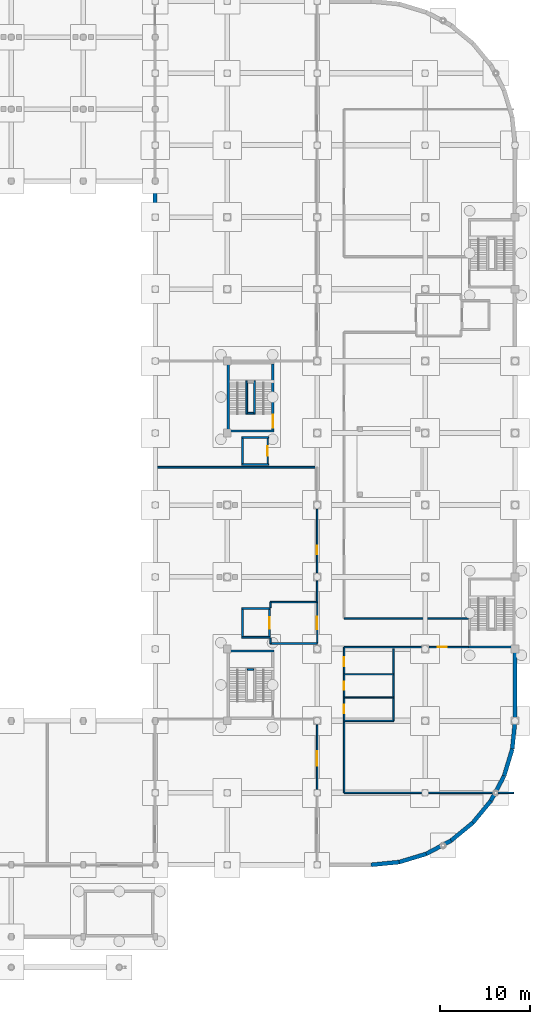
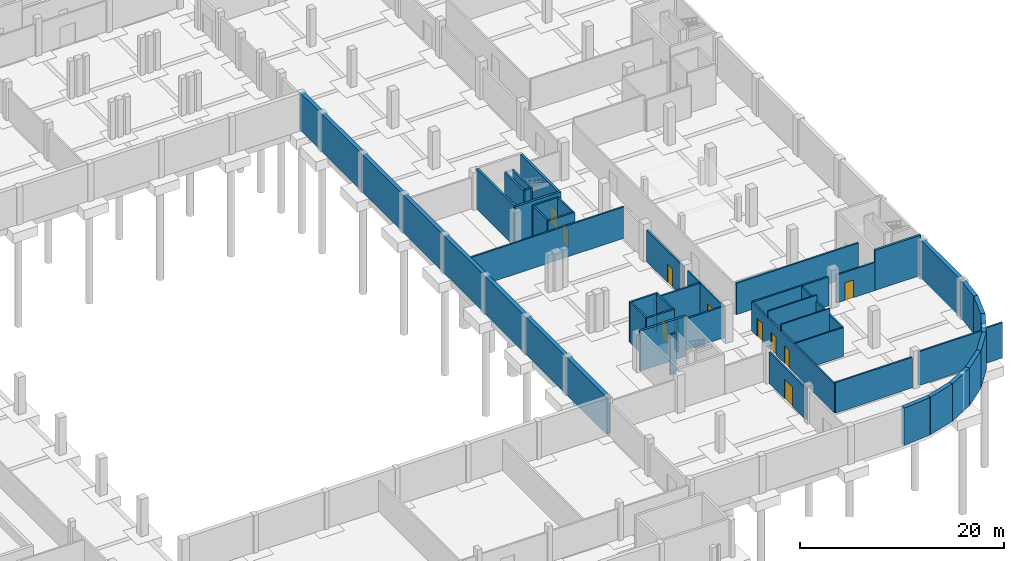
# One storey, part 25 of 29: 47 walls, 10 doors, 10 openings.
"""IFC4 building model written with IfcOpenShell, lengths in metres."""

from ifc_helpers import new_model, si_unit, direction, frame, frame_2d, origin, place, context, subcontext, project, spatial, rectangle, extrude, material, layer, layer_set, type_object, element, fill, save


model = new_model("IFC4")

# Units and contexts
model_context = context("Model", 3, precision=1e-05, world=origin(), true_north=direction((0.0, 1.0)))
body_context = subcontext(model_context, "Body", "Model", "MODEL_VIEW")
ifc_project = project(units=[si_unit("LENGTHUNIT", "METRE"), si_unit("AREAUNIT", "SQUARE_METRE"), si_unit("VOLUMEUNIT", "CUBIC_METRE"), si_unit("PLANEANGLEUNIT", "RADIAN"), si_unit("MASSUNIT", "GRAM", prefix="KILO")], contexts=[model_context])

# Site, building, storey
site_placement = place(None, origin())
site = spatial("IfcSite", under=ifc_project, at=site_placement, CompositionType="ELEMENT")
building_placement = place(site_placement, origin())
building = spatial("IfcBuilding", under=site, at=building_placement, Name="Drelvana Railside Aquatics Centre", CompositionType="ELEMENT")
storey_placement = place(building_placement, frame((0.0, 0.0, -4.800048828125)))
storey = spatial("IfcBuildingStorey", under=building, at=storey_placement, Name="B1", CompositionType="ELEMENT", Elevation=-4.800048828125)

# Walls
ifc_material_1 = material(Name="Concrete blockwork compartment wall", Category="masonry")
ifc_layer_1 = layer(ifc_material_1, 0.18505859375, Name="Concrete blockwork compartment wall")
ifc_layer_set_1 = layer_set([ifc_layer_1], Name="Concrete blockwork compartment wall")
wall_type_1 = type_object("IfcWallType", Name="WL-COMP-185", PredefinedType="STANDARD", material=ifc_layer_set_1)
for number, where, z_axis, x_axis, name in (
    (1, (162.0, 32.60009765625, 0.0), (0.0, 0.0, 1.0), (-1.0, 0.0, 0.0), "Firefighting lobby FL-01 S wall (B1)"),
    (2, (156.800048828125, 37.199951171875, 0.0), (0.0, 0.0, 1.0), (1.0, 0.0, 0.0), "Firefighting lobby FL-01 N wall (B1)"),
):
    element("IfcWall", number, at=place(storey_placement, frame(where, z_axis=z_axis, x_axis=x_axis)), inside=storey, type_object=wall_type_1, Name=name, PredefinedType="STANDARD", context=body_context, shape_type="SweptSolid", body=[
        extrude(rectangle(XDim=5.199951171875, YDim=0.18505859375, at=frame_2d((2.60009765625, 0.0))), origin(), (0.0, 0.0, 1.0), 3.75),
    ])

# Wall, opening, door
wall_1_placement = place(storey_placement, frame((162.0, 32.60009765625, 0.0), z_axis=(0.0, 0.0, 1.0), x_axis=(0.0, 1.0, 0.0)))
wall_1 = element("IfcWall", 3, at=wall_1_placement, inside=storey, type_object=wall_type_1, Name="Firefighting lobby FL-01 COR wall (B1)", PredefinedType="STANDARD", context=body_context, shape_type="SweptSolid", body=[
    extrude(rectangle(XDim=4.599853515625, YDim=0.18505859375, at=frame_2d((2.2998046875, 0.0))), origin(), (0.0, 0.0, 1.0), 3.75),
])
opening_1_placement = place(wall_1_placement, frame((1.60009765625, 0.0, 0.0)))
opening_1 = element("IfcOpeningElement", 4, at=opening_1_placement, cuts=wall_1, Name="Opening D-03-042", PredefinedType="OPENING", context=body_context, shape_type="SweptSolid", body=[
    extrude(rectangle(XDim=1.39990234375, YDim=2.199951171875, at=frame_2d((0.699951171875, 1.10009765625))), frame((0.0, 0.1025390625, 0.0), z_axis=(0.0, -1.0, 0.0), x_axis=(1.0, 0.0, 0.0)), (0.0, 0.0, 1.0), 0.205078125),
])
ifc_material_2 = material(Name="Firefighting lobby door", Category="wood")
door_type_1 = type_object("IfcDoorType", Name="DR-INT-FFLOB-1400x2200", OperationType="DOUBLE_DOOR_SINGLE_SWING", PredefinedType="DOOR", material=ifc_material_2)
door_1_placement = place(opening_1_placement, origin())
door_1 = element("IfcDoor", 5, at=door_1_placement, inside=storey, type_object=door_type_1, Name="Firefighting lobby FL-01 door D-03-042", OperationType="DOUBLE_DOOR_SINGLE_SWING", OverallHeight=2.199951171875, OverallWidth=1.39990234375, PredefinedType="DOOR", context=body_context, shape_type="SweptSolid", body=[
    extrude(rectangle(XDim=1.39990234375, YDim=2.199951171875, at=frame_2d((0.699951171875, 1.10009765625))), frame((0.0, 0.02490234375, 0.0), z_axis=(0.0, -1.0, 0.0), x_axis=(1.0, 0.0, 0.0)), (0.0, 0.0, 1.0), 0.050048828125),
])
fill(opening_1, door_1)

# Walls
for number, where, z_axis, x_axis, name in (
    (6, (156.800048828125, 32.60009765625, 0.0), (0.0, 0.0, 1.0), (0.0, 1.0, 0.0), "Firefighting lobby FL-01 SHS wall (B1)"),
    (7, (156.800048828125, 36.60009765625, 0.0), (0.0, 0.0, 1.0), (0.0, 1.0, 0.0), "Firefighting lobby FL-01 SHN wall (B1)"),
):
    element("IfcWall", number, at=place(storey_placement, frame(where, z_axis=z_axis, x_axis=x_axis)), inside=storey, type_object=wall_type_1, Name=name, PredefinedType="STANDARD", context=body_context, shape_type="SweptSolid", body=[
        extrude(rectangle(XDim=0.599853515625, YDim=0.18505859375, at=frame_2d((0.2998046875, 0.0))), origin(), (0.0, 0.0, 1.0), 3.75),
    ])

# Wall, opening, door
wall_2_placement = place(storey_placement, frame((162.0, 16.35205078125, 0.0), z_axis=(0.0, 0.0, 1.0), x_axis=(0.0, 1.0, 0.0)))
wall_2 = element("IfcWall", 8, at=wall_2_placement, inside=storey, type_object=wall_type_1, Name="V5 B1 west corridor wall", PredefinedType="STANDARD", context=body_context, shape_type="SweptSolid", body=[
    extrude(rectangle(XDim=7.220947265625, YDim=0.18505859375, at=frame_2d((3.6103515625, 0.0))), origin(), (0.0, 0.0, 1.0), 3.75),
])
opening_2_placement = place(wall_2_placement, frame((2.64794921875, 0.0, 0.0)))
opening_2 = element("IfcOpeningElement", 9, at=opening_2_placement, cuts=wall_2, Name="Opening D-04-181", PredefinedType="OPENING", context=body_context, shape_type="SweptSolid", body=[
    extrude(rectangle(XDim=1.60009765625, YDim=2.300048828125, at=frame_2d((0.800048828125, 1.14990234375))), frame((0.0, 0.1025390625, 0.0), z_axis=(0.0, -1.0, 0.0), x_axis=(1.0, 0.0, 0.0)), (0.0, 0.0, 1.0), 0.205078125),
])
ifc_material_3 = material(Name="Acoustic fire-rated steel plant door", Category="steel")
door_type_2 = type_object("IfcDoorType", Name="DR-INT-PLANT-1600x2300", OperationType="DOUBLE_DOOR_SINGLE_SWING", PredefinedType="DOOR", material=ifc_material_3)
door_2_placement = place(opening_2_placement, origin())
door_2 = element("IfcDoor", 10, at=door_2_placement, inside=storey, type_object=door_type_2, Name="Chiller plant north door D-04-181", OperationType="DOUBLE_DOOR_SINGLE_SWING", OverallHeight=2.300048828125, OverallWidth=1.60009765625, PredefinedType="DOOR", context=body_context, shape_type="SweptSolid", body=[
    extrude(rectangle(XDim=1.60009765625, YDim=2.300048828125, at=frame_2d((0.800048828125, 1.14990234375))), frame((0.0, 0.02490234375, 0.0), z_axis=(0.0, -1.0, 0.0), x_axis=(1.0, 0.0, 0.0)), (0.0, 0.0, 1.0), 0.050048828125),
])
fill(opening_2, door_2)

# Wall
wall_3_placement = place(storey_placement, frame((162.0, 37.199951171875, 0.0), z_axis=(0.0, 0.0, 1.0), x_axis=(0.0, 1.0, 0.0)))
element("IfcWall", 11, at=wall_3_placement, inside=storey, type_object=wall_type_1, Name="V5 B1 west corridor wall", PredefinedType="STANDARD", context=body_context, shape_type="SweptSolid", body=[
    extrude(rectangle(XDim=2.373046875, YDim=0.18505859375, at=frame_2d((1.1865234375, 0.0))), origin(), (0.0, 0.0, 1.0), 3.75),
])

# Wall, opening, door
wall_4_placement = place(storey_placement, frame((162.0, 40.427001953125, 0.0), z_axis=(0.0, 0.0, 1.0), x_axis=(0.0, 1.0, 0.0)))
wall_4 = element("IfcWall", 12, at=wall_4_placement, inside=storey, type_object=wall_type_1, Name="V5 B1 west corridor wall", PredefinedType="STANDARD", context=body_context, shape_type="SweptSolid", body=[
    extrude(rectangle(XDim=7.14599609375, YDim=0.18505859375, at=frame_2d((3.572998046875, 0.0))), origin(), (0.0, 0.0, 1.0), 3.75),
])
opening_3_placement = place(wall_4_placement, frame((2.072998046875, 0.0, 0.0)))
opening_3 = element("IfcOpeningElement", 13, at=opening_3_placement, cuts=wall_4, Name="Opening D-10-182", PredefinedType="OPENING", context=body_context, shape_type="SweptSolid", body=[
    extrude(rectangle(XDim=0.949951171875, YDim=2.14990234375, at=frame_2d((0.47509765625, 1.074951171875))), frame((0.0, 0.1025390625, 0.0), z_axis=(0.0, -1.0, 0.0), x_axis=(1.0, 0.0, 0.0)), (0.0, 0.0, 1.0), 0.205078125),
])
ifc_material_4 = material(Name="Timber veneer office door", Category="wood")
door_type_3 = type_object("IfcDoorType", Name="DR-INT-OFF-950x2150", OperationType="NOTDEFINED", PredefinedType="DOOR", material=ifc_material_4)
door_3_placement = place(opening_3_placement, origin())
door_3 = element("IfcDoor", 14, at=door_3_placement, inside=storey, type_object=door_type_3, Name="BMS control room door D-10-182", OperationType="SINGLE_SWING_LEFT", OverallHeight=2.14990234375, OverallWidth=0.949951171875, PredefinedType="DOOR", context=body_context, shape_type="SweptSolid", body=[
    extrude(rectangle(XDim=0.949951171875, YDim=2.14990234375, at=frame_2d((0.47509765625, 1.074951171875))), frame((0.0, 0.02490234375, 0.0), z_axis=(0.0, -1.0, 0.0), x_axis=(1.0, 0.0, 0.0)), (0.0, 0.0, 1.0), 0.050048828125),
])
fill(opening_3, door_3)

# Walls
wall_5_placement = place(storey_placement, frame((144.14990234375, 52.199951171875, 0.0), z_axis=(0.0, 0.0, 1.0), x_axis=(1.0, 0.0, 0.0)))
element("IfcWall", 15, at=wall_5_placement, inside=storey, type_object=wall_type_1, Name="V5 B1 LP-04 alcove S wall", PredefinedType="STANDARD", context=body_context, shape_type="SweptSolid", body=[
    extrude(rectangle(XDim=17.85009765625, YDim=0.18505859375, at=frame_2d((8.925048828125, 0.0))), origin(), (0.0, 0.0, 1.0), 3.75),
])
wall_6_placement = place(storey_placement, frame((165.0, 16.0, 0.0), z_axis=(0.0, 0.0, 1.0), x_axis=(1.0, 0.0, 0.0)))
element("IfcWall", 16, at=wall_6_placement, inside=storey, type_object=wall_type_1, Name="B1 Filtration store S wall", PredefinedType="STANDARD", context=body_context, shape_type="SweptSolid", body=[
    extrude(rectangle(XDim=8.64794921875, YDim=0.18505859375, at=frame_2d((4.323974609375, 0.0))), origin(), (0.0, 0.0, 1.0), 3.650146484375),
])
wall_7_placement = place(storey_placement, frame((174.35205078125, 16.0, 0.0), z_axis=(0.0, 0.0, 1.0), x_axis=(1.0, 0.0, 0.0)))
element("IfcWall", 17, at=wall_7_placement, inside=storey, type_object=wall_type_1, Name="B1 Filtration store S wall", PredefinedType="STANDARD", context=body_context, shape_type="SweptSolid", body=[
    extrude(rectangle(XDim=7.299072265625, YDim=0.18505859375, at=frame_2d((3.6494140625, 0.0))), origin(), (0.0, 0.0, 1.0), 4.050048828125),
])
wall_8_placement = place(storey_placement, frame((182.0615234375, 16.0, 0.0), z_axis=(0.0, 0.0, 1.0), x_axis=(1.0, 0.0, 0.0)))
element("IfcWall", 18, at=wall_8_placement, inside=storey, type_object=wall_type_1, Name="B1 Filtration store S wall", PredefinedType="STANDARD", context=body_context, shape_type="SweptSolid", body=[
    extrude(rectangle(XDim=1.78857421875, YDim=0.18505859375, at=frame_2d((0.894287109375, 0.0))), origin(), (0.0, 0.0, 1.0), 4.235107421875),
])

# Wall, openings, doors
wall_9_placement = place(storey_placement, frame((165.0, 16.0, 0.0), z_axis=(0.0, 0.0, 1.0), x_axis=(0.0, 1.0, 0.0)))
wall_9 = element("IfcWall", 19, at=wall_9_placement, inside=storey, type_object=wall_type_1, Name="V5 B1 east corridor wall", PredefinedType="STANDARD", context=body_context, shape_type="SweptSolid", body=[
    extrude(rectangle(XDim=16.199951171875, YDim=0.18505859375, at=frame_2d((8.10009765625, 0.0))), origin(), (0.0, 0.0, 1.0), 3.449951171875),
])
opening_4_placement = place(wall_9_placement, frame((8.85009765625, 0.0, 0.0)))
opening_4 = element("IfcOpeningElement", 20, at=opening_4_placement, cuts=wall_9, Name="Opening D-11-185", PredefinedType="OPENING", context=body_context, shape_type="SweptSolid", body=[
    extrude(rectangle(XDim=0.919921875, YDim=2.10009765625, at=frame_2d((0.4599609375, 1.050048828125))), frame((0.0, 0.1025390625, 0.0), z_axis=(0.0, -1.0, 0.0), x_axis=(1.0, 0.0, 0.0)), (0.0, 0.0, 1.0), 0.205078125),
])
opening_5_placement = place(wall_9_placement, frame((11.449951171875, 0.0, 0.0)))
opening_5 = element("IfcOpeningElement", 21, at=opening_5_placement, cuts=wall_9, Name="Opening D-11-186", PredefinedType="OPENING", context=body_context, shape_type="SweptSolid", body=[
    extrude(rectangle(XDim=0.919921875, YDim=2.10009765625, at=frame_2d((0.4599609375, 1.050048828125))), frame((0.0, 0.1025390625, 0.0), z_axis=(0.0, -1.0, 0.0), x_axis=(1.0, 0.0, 0.0)), (0.0, 0.0, 1.0), 0.205078125),
])
opening_6_placement = place(wall_9_placement, frame((14.050048828125, 0.0, 0.0)))
opening_6 = element("IfcOpeningElement", 22, at=opening_6_placement, cuts=wall_9, Name="Opening D-12-187", PredefinedType="OPENING", context=body_context, shape_type="SweptSolid", body=[
    extrude(rectangle(XDim=1.050048828125, YDim=2.14990234375, at=frame_2d((0.52490234375, 1.074951171875))), frame((0.0, 0.1025390625, 0.0), z_axis=(0.0, -1.0, 0.0), x_axis=(1.0, 0.0, 0.0)), (0.0, 0.0, 1.0), 0.205078125),
])
ifc_material_5 = material(Name="Accessible toilet outward-opening door", Category="wood")
door_type_4 = type_object("IfcDoorType", Name="DR-INT-AWC-1050x2150", OperationType="NOTDEFINED", PredefinedType="DOOR", material=ifc_material_5)
door_4_placement = place(opening_6_placement, origin())
door_4 = element("IfcDoor", 23, at=door_4_placement, inside=storey, type_object=door_type_4, Name="B1 Accessible WC door D-12-187", OperationType="SINGLE_SWING_RIGHT", OverallHeight=2.14990234375, OverallWidth=1.050048828125, PredefinedType="DOOR", context=body_context, shape_type="SweptSolid", body=[
    extrude(rectangle(XDim=1.050048828125, YDim=2.14990234375, at=frame_2d((0.52490234375, 1.074951171875))), frame((0.0, 0.02490234375, 0.0), z_axis=(0.0, -1.0, 0.0), x_axis=(1.0, 0.0, 0.0)), (0.0, 0.0, 1.0), 0.050048828125),
])
fill(opening_6, door_4)
ifc_material_6 = material(Name="Moisture-resistant laminate WC door", Category="wood")
door_type_5 = type_object("IfcDoorType", Name="DR-INT-WC-920x2100", OperationType="NOTDEFINED", PredefinedType="DOOR", material=ifc_material_6)
door_5_placement = place(opening_4_placement, origin())
door_5 = element("IfcDoor", 24, at=door_5_placement, inside=storey, type_object=door_type_5, Name="B1 Male WC door D-11-185", OperationType="SINGLE_SWING_RIGHT", OverallHeight=2.10009765625, OverallWidth=0.919921875, PredefinedType="DOOR", context=body_context, shape_type="SweptSolid", body=[
    extrude(rectangle(XDim=0.919921875, YDim=2.10009765625, at=frame_2d((0.4599609375, 1.050048828125))), frame((0.0, 0.02490234375, 0.0), z_axis=(0.0, -1.0, 0.0), x_axis=(1.0, 0.0, 0.0)), (0.0, 0.0, 1.0), 0.050048828125),
])
fill(opening_4, door_5)
door_6_placement = place(opening_5_placement, origin())
door_6 = element("IfcDoor", 25, at=door_6_placement, inside=storey, type_object=door_type_5, Name="B1 Female WC door D-11-186", OperationType="SINGLE_SWING_LEFT", OverallHeight=2.10009765625, OverallWidth=0.919921875, PredefinedType="DOOR", context=body_context, shape_type="SweptSolid", body=[
    extrude(rectangle(XDim=0.919921875, YDim=2.10009765625, at=frame_2d((0.4599609375, 1.050048828125))), frame((0.0, 0.02490234375, 0.0), z_axis=(0.0, -1.0, 0.0), x_axis=(1.0, 0.0, 0.0)), (0.0, 0.0, 1.0), 0.050048828125),
])
fill(opening_5, door_6)

# Wall
wall_10_placement = place(storey_placement, frame((165.0, 32.199951171875, 0.0), z_axis=(0.0, 0.0, 1.0), x_axis=(1.0, 0.0, 0.0)))
element("IfcWall", 26, at=wall_10_placement, inside=storey, type_object=wall_type_1, Name="B1 C9 branch S wall", PredefinedType="STANDARD", context=body_context, shape_type="SweptSolid", body=[
    extrude(rectangle(XDim=8.572998046875, YDim=0.18505859375, at=frame_2d((4.28662109375, 0.0))), origin(), (0.0, 0.0, 1.0), 3.449951171875),
])

# Wall, opening, door
wall_11_placement = place(storey_placement, frame((174.427001953125, 32.199951171875, 0.0), z_axis=(0.0, 0.0, 1.0), x_axis=(1.0, 0.0, 0.0)))
wall_11 = element("IfcWall", 27, at=wall_11_placement, inside=storey, type_object=wall_type_1, Name="B1 C9 branch S wall", PredefinedType="STANDARD", context=body_context, shape_type="SweptSolid", body=[
    extrude(rectangle(XDim=4.373046875, YDim=0.18505859375, at=frame_2d((2.1865234375, 0.0))), origin(), (0.0, 0.0, 1.0), 3.35009765625),
])
opening_7_placement = place(wall_11_placement, frame((0.972900390625, 0.0, 0.0)))
opening_7 = element("IfcOpeningElement", 28, at=opening_7_placement, cuts=wall_11, Name="Opening D-13-191", PredefinedType="OPENING", context=body_context, shape_type="SweptSolid", body=[
    extrude(rectangle(XDim=0.97998046875, YDim=2.10009765625, at=frame_2d((0.489990234375, 1.050048828125))), frame((0.0, 0.1025390625, 0.0), z_axis=(0.0, -1.0, 0.0), x_axis=(1.0, 0.0, 0.0)), (0.0, 0.0, 1.0), 0.205078125),
])
ifc_material_7 = material(Name="Equipment store door", Category="wood")
door_type_6 = type_object("IfcDoorType", Name="DR-INT-STR-980x2100", OperationType="NOTDEFINED", PredefinedType="DOOR", material=ifc_material_7)
door_7_placement = place(opening_7_placement, origin())
door_7 = element("IfcDoor", 29, at=door_7_placement, inside=storey, type_object=door_type_6, Name="Filtration spare store door D-13-191", OperationType="SINGLE_SWING_LEFT", OverallHeight=2.10009765625, OverallWidth=0.97998046875, PredefinedType="DOOR", context=body_context, shape_type="SweptSolid", body=[
    extrude(rectangle(XDim=0.97998046875, YDim=2.10009765625, at=frame_2d((0.489990234375, 1.050048828125))), frame((0.0, 0.02490234375, 0.0), z_axis=(0.0, -1.0, 0.0), x_axis=(1.0, 0.0, 0.0)), (0.0, 0.0, 1.0), 0.050048828125),
])
fill(opening_7, door_7)

# Walls
wall_12_placement = place(storey_placement, frame((165.0, 35.39990234375, 0.0), z_axis=(0.0, 0.0, 1.0), x_axis=(1.0, 0.0, 0.0)))
element("IfcWall", 30, at=wall_12_placement, inside=storey, type_object=wall_type_1, Name="B1 C9 branch N wall", PredefinedType="STANDARD", context=body_context, shape_type="SweptSolid", body=[
    extrude(rectangle(XDim=13.800048828125, YDim=0.18505859375, at=frame_2d((6.89990234375, 0.0))), origin(), (0.0, 0.0, 1.0), 3.75),
])
ifc_material_8 = material(Name="Concrete C40/50", Category="concrete")
ifc_layer_2 = layer(ifc_material_8, 0.25, Name="Concrete C40/50")
ifc_layer_set_2 = layer_set([ifc_layer_2], Name="Concrete C40/50")
wall_type_2 = type_object("IfcWallType", Name="WL-CORE-250", PredefinedType="SHEAR", material=ifc_layer_set_2)
for number, where, z_axis, x_axis, name in (
    (31, (152.0, 31.77490234375, 0.0), (0.0, 0.0, 1.0), (1.0, 0.0, 0.0), "Core 6 Federation Wing Court-West N core wall (B1)"),
    (32, (152.0, 56.22509765625, 0.0), (0.0, 0.0, 1.0), (1.0, 0.0, 0.0), "Core 8 Federation Wing Central-West S core wall (B1)"),
):
    element("IfcWall", number, at=place(storey_placement, frame(where, z_axis=z_axis, x_axis=x_axis)), inside=storey, type_object=wall_type_2, Name=name, PredefinedType="SHEAR", context=body_context, shape_type="SweptSolid", body=[
        extrude(rectangle(XDim=5.199951171875, YDim=0.25, at=frame_2d((2.60009765625, 0.0))), origin(), (0.0, 0.0, 1.0), 4.800048828125),
    ])
wall_13_placement = place(storey_placement, frame((152.125, 56.35009765625, 0.0), z_axis=(0.0, 0.0, 1.0), x_axis=(0.0, 1.0, 0.0)))
element("IfcWall", 33, at=wall_13_placement, inside=storey, type_object=wall_type_2, Name="Core 8 Federation Wing Central-West W core wall (B1)", PredefinedType="SHEAR", context=body_context, shape_type="SweptSolid", body=[
    extrude(rectangle(XDim=7.2998046875, YDim=0.25, at=frame_2d((3.64990234375, 0.0))), origin(), (0.0, 0.0, 1.0), 4.800048828125),
])

# Wall, opening, door
wall_14_placement = place(storey_placement, frame((157.074951171875, 56.35009765625, 0.0), z_axis=(0.0, 0.0, 1.0), x_axis=(0.0, 1.0, 0.0)))
wall_14 = element("IfcWall", 34, at=wall_14_placement, inside=storey, type_object=wall_type_2, Name="Core 8 Federation Wing Central-West E core wall (B1)", PredefinedType="SHEAR", context=body_context, shape_type="SweptSolid", body=[
    extrude(rectangle(XDim=7.2998046875, YDim=0.25, at=frame_2d((3.64990234375, 0.0))), origin(), (0.0, 0.0, 1.0), 4.800048828125),
])
opening_8_placement = place(wall_14_placement, frame((0.25, 0.0, 0.0)))
opening_8 = element("IfcOpeningElement", 35, at=opening_8_placement, cuts=wall_14, Name="Opening D-01-071", PredefinedType="OPENING", context=body_context, shape_type="SweptSolid", body=[
    extrude(rectangle(XDim=1.449951171875, YDim=2.199951171875, at=frame_2d((0.72509765625, 1.10009765625))), frame((0.0, 0.135009765625, 0.0), z_axis=(0.0, -1.0, 0.0), x_axis=(1.0, 0.0, 0.0)), (0.0, 0.0, 1.0), 0.27001953125),
])
ifc_material_9 = material(Name="Fire-rated steel and vision-panel door", Category="steel")
door_type_7 = type_object("IfcDoorType", Name="DR-INT-STAIR-1450x2200", OperationType="DOUBLE_DOOR_SINGLE_SWING", PredefinedType="DOOR", material=ifc_material_9)
door_8_placement = place(opening_8_placement, origin())
door_8 = element("IfcDoor", 36, at=door_8_placement, inside=storey, type_object=door_type_7, Name="Stair ST-08 lobby door D-01-071", OperationType="DOUBLE_DOOR_SINGLE_SWING", OverallHeight=2.199951171875, OverallWidth=1.449951171875, PredefinedType="DOOR", context=body_context, shape_type="SweptSolid", body=[
    extrude(rectangle(XDim=1.449951171875, YDim=2.199951171875, at=frame_2d((0.72509765625, 1.10009765625))), frame((0.0, 0.02490234375, 0.0), z_axis=(0.0, -1.0, 0.0), x_axis=(1.0, 0.0, 0.0)), (0.0, 0.0, 1.0), 0.050048828125),
])
fill(opening_8, door_8)

# Walls
wall_15_placement = place(storey_placement, frame((178.800048828125, 32.22509765625, 0.0), z_axis=(0.0, 0.0, 1.0), x_axis=(1.0, 0.0, 0.0)))
element("IfcWall", 37, at=wall_15_placement, inside=storey, type_object=wall_type_2, Name="Core 9 Federation Wing Avenue-South S core wall (B1)", PredefinedType="SHEAR", context=body_context, shape_type="SweptSolid", body=[
    extrude(rectangle(XDim=5.199951171875, YDim=0.25, at=frame_2d((2.60009765625, 0.0))), origin(), (0.0, 0.0, 1.0), 4.800048828125),
])
ifc_material_10 = material(Name="Waterproof concrete C40/50", Category="concrete")
ifc_layer_3 = layer(ifc_material_10, 0.449951171875, Name="Waterproof concrete C40/50")
ifc_layer_set_3 = layer_set([ifc_layer_3], Name="Waterproof concrete C40/50")
wall_type_3 = type_object("IfcWallType", Name="WL-RET-450", PredefinedType="SOLIDWALL", material=ifc_layer_set_3)
wall_16_placement = place(storey_placement, frame((144.0, 24.0, 0.0), z_axis=(0.0, 0.0, 1.0), x_axis=(0.0, 1.0, 0.0)))
element("IfcWall", 38, at=wall_16_placement, inside=storey, type_object=wall_type_3, Name="Basement retaining wall V5-W", PredefinedType="SOLIDWALL", context=body_context, shape_type="SweptSolid", body=[
    extrude(rectangle(XDim=60.0, YDim=0.449951171875, at=frame_2d((30.0, 0.0))), origin(), (0.0, 0.0, 1.0), 4.469970703125),
])
wall_17_placement = place(storey_placement, frame((184.0, 24.0, 0.0), z_axis=(0.0, 0.0, 1.0), x_axis=(0.0, 1.0, 0.0)))
element("IfcWall", 39, at=wall_17_placement, inside=storey, type_object=wall_type_3, Name="Basement retaining wall V5-E-1", PredefinedType="SOLIDWALL", context=body_context, shape_type="SweptSolid", body=[
    extrude(rectangle(XDim=8.097900390625, YDim=0.449951171875, at=frame_2d((4.048828125, 0.0))), origin(), (0.0, 0.0, 1.0), 4.469970703125),
])
wall_18_placement = place(storey_placement, frame((168.0, 8.0, 0.0), z_axis=(0.0, 0.0, 1.0), x_axis=(0.995186340733, 0.098000751113, 0.0)))
element("IfcWall", 40, at=wall_18_placement, inside=storey, type_object=wall_type_3, Name="Basement curved retaining wall V5-SE-1", PredefinedType="SOLIDWALL", context=body_context, shape_type="SweptSolid", body=[
    extrude(rectangle(XDim=3.136474609375, YDim=0.449951171875, at=frame_2d((1.568359375, 0.0))), origin(), (0.0, 0.0, 1.0), 4.469970703125),
])
wall_19_placement = place(storey_placement, frame((171.121337890625, 8.307373046875, 0.0), z_axis=(0.0, 0.0, 1.0), x_axis=(0.956932713703, 0.29030980253, 0.0)))
element("IfcWall", 41, at=wall_19_placement, inside=storey, type_object=wall_type_3, Name="Basement curved retaining wall V5-SE-2", PredefinedType="SOLIDWALL", context=body_context, shape_type="SweptSolid", body=[
    extrude(rectangle(XDim=3.13671875, YDim=0.449951171875, at=frame_2d((1.568359375, 0.0))), origin(), (0.0, 0.0, 1.0), 4.469970703125),
])
for number, where, z_axis, x_axis, name in (
    (42, (174.123046875, 9.218017578125, 0.0), (0.0, 0.0, 1.0), (0.881921625826, 0.471396060548, 0.0), "Basement curved retaining wall V5-SE-3"),
    (43, (176.88916015625, 10.696533203125, 0.0), (0.0, 0.0, 1.0), (0.773016601683, 0.634385792339, 0.0), "Basement curved retaining wall V5-SE-4"),
    (44, (179.313720703125, 12.686279296875, 0.0), (0.0, 0.0, 1.0), (0.634385792339, 0.773016601683, 0.0), "Basement curved retaining wall V5-SE-5"),
    (45, (181.303466796875, 15.11083984375, 0.0), (0.0, 0.0, 1.0), (0.471396060548, 0.881921625826, 0.0), "Basement curved retaining wall V5-SE-6"),
):
    element("IfcWall", number, at=place(storey_placement, frame(where, z_axis=z_axis, x_axis=x_axis)), inside=storey, type_object=wall_type_3, Name=name, PredefinedType="SOLIDWALL", context=body_context, shape_type="SweptSolid", body=[
        extrude(rectangle(XDim=3.136474609375, YDim=0.449951171875, at=frame_2d((1.568359375, 0.0))), origin(), (0.0, 0.0, 1.0), 4.469970703125),
    ])
wall_20_placement = place(storey_placement, frame((182.781982421875, 17.876953125, 0.0), z_axis=(0.0, 0.0, 1.0), x_axis=(0.29030980253, 0.956932713703, 0.0)))
element("IfcWall", 46, at=wall_20_placement, inside=storey, type_object=wall_type_3, Name="Basement curved retaining wall V5-SE-7", PredefinedType="SOLIDWALL", context=body_context, shape_type="SweptSolid", body=[
    extrude(rectangle(XDim=3.13671875, YDim=0.449951171875, at=frame_2d((1.568359375, 0.0))), origin(), (0.0, 0.0, 1.0), 4.469970703125),
])
wall_21_placement = place(storey_placement, frame((183.692626953125, 20.878662109375, 0.0), z_axis=(0.0, 0.0, 1.0), x_axis=(0.098000751113, 0.995186340733, 0.0)))
element("IfcWall", 47, at=wall_21_placement, inside=storey, type_object=wall_type_3, Name="Basement curved retaining wall V5-SE-8", PredefinedType="SOLIDWALL", context=body_context, shape_type="SweptSolid", body=[
    extrude(rectangle(XDim=3.136474609375, YDim=0.449951171875, at=frame_2d((1.568359375, 0.0))), origin(), (0.0, 0.0, 1.0), 4.469970703125),
])
ifc_layer_4 = layer(ifc_material_8, 0.199951171875, Name="Concrete C40/50")
ifc_layer_set_4 = layer_set([ifc_layer_4], Name="Concrete C40/50")
wall_type_4 = type_object("IfcWallType", Name="WL-SHFT-200", PredefinedType="SHEAR", material=ifc_layer_set_4)
wall_22_placement = place(storey_placement, frame((154.25, 29.7099609375, 0.0), z_axis=(0.0, 0.0, 1.0), x_axis=(1.0, 0.0, 0.0)))
element("IfcWall", 48, at=wall_22_placement, inside=storey, type_object=wall_type_4, Name="Stair ST-06 central spine wall N (B1)", PredefinedType="SHEAR", context=body_context, shape_type="SweptSolid", body=[
    extrude(rectangle(XDim=0.699951171875, YDim=0.199951171875, at=frame_2d((0.35009765625, 0.0))), origin(), (0.0, 0.0, 1.0), 4.800048828125),
])
for number, where, z_axis, x_axis, name in (
    (49, (153.60009765625, 33.300048828125, 0.0), (0.0, 0.0, 1.0), (1.0, 0.0, 0.0), "Lift FL-01 S shaft wall (B1)"),
    (50, (153.60009765625, 36.5, 0.0), (0.0, 0.0, 1.0), (1.0, 0.0, 0.0), "Lift FL-01 N shaft wall (B1)"),
):
    element("IfcWall", number, at=place(storey_placement, frame(where, z_axis=z_axis, x_axis=x_axis)), inside=storey, type_object=wall_type_4, Name=name, PredefinedType="SHEAR", context=body_context, shape_type="SweptSolid", body=[
        extrude(rectangle(XDim=3.199951171875, YDim=0.199951171875, at=frame_2d((1.60009765625, 0.0))), origin(), (0.0, 0.0, 1.0), 4.800048828125),
    ])
wall_23_placement = place(storey_placement, frame((153.699951171875, 33.39990234375, 0.0), z_axis=(0.0, 0.0, 1.0), x_axis=(0.0, 1.0, 0.0)))
element("IfcWall", 51, at=wall_23_placement, inside=storey, type_object=wall_type_4, Name="Lift FL-01 W shaft wall (B1)", PredefinedType="SHEAR", context=body_context, shape_type="SweptSolid", body=[
    extrude(rectangle(XDim=3.0, YDim=0.199951171875, at=frame_2d((1.5, 0.0))), origin(), (0.0, 0.0, 1.0), 4.800048828125),
])

# Wall, opening, door
wall_24_placement = place(storey_placement, frame((156.699951171875, 33.39990234375, 0.0), z_axis=(0.0, 0.0, 1.0), x_axis=(0.0, 1.0, 0.0)))
wall_24 = element("IfcWall", 52, at=wall_24_placement, inside=storey, type_object=wall_type_4, Name="Lift FL-01 E shaft wall (B1)", PredefinedType="SHEAR", context=body_context, shape_type="SweptSolid", body=[
    extrude(rectangle(XDim=3.0, YDim=0.199951171875, at=frame_2d((1.5, 0.0))), origin(), (0.0, 0.0, 1.0), 4.800048828125),
])
opening_9_placement = place(wall_24_placement, frame((0.85009765625, 0.0, 0.0)))
opening_9 = element("IfcOpeningElement", 53, at=opening_9_placement, cuts=wall_24, Name="Opening LD-02-041", PredefinedType="OPENING", context=body_context, shape_type="SweptSolid", body=[
    extrude(rectangle(XDim=1.300048828125, YDim=2.300048828125, at=frame_2d((0.64990234375, 1.14990234375))), frame((0.0, 0.10986328125, 0.0), z_axis=(0.0, -1.0, 0.0), x_axis=(1.0, 0.0, 0.0)), (0.0, 0.0, 1.0), 0.219970703125),
])
ifc_material_11 = material(Name="Firefighting & goods lift sliding door", Category="wood")
door_type_8 = type_object("IfcDoorType", Name="DR-LIFT-LD-1300x2300", OperationType="SLIDING_TO_RIGHT", PredefinedType="DOOR", material=ifc_material_11)
door_9_placement = place(opening_9_placement, origin())
door_9 = element("IfcDoor", 54, at=door_9_placement, inside=storey, type_object=door_type_8, Name="Lift FL-01 landing door LD-02-041", OperationType="SLIDING_TO_RIGHT", OverallHeight=2.300048828125, OverallWidth=1.300048828125, PredefinedType="DOOR", context=body_context, shape_type="SweptSolid", body=[
    extrude(rectangle(XDim=1.300048828125, YDim=2.300048828125, at=frame_2d((0.64990234375, 1.14990234375))), frame((0.0, 0.02490234375, 0.0), z_axis=(0.0, -1.0, 0.0), x_axis=(1.0, 0.0, 0.0)), (0.0, 0.0, 1.0), 0.050048828125),
])
fill(opening_9, door_9)

# Walls
for number, where, z_axis, x_axis, name in (
    (55, (154.169921875, 58.090087890625, 0.0), (0.0, 0.0, 1.0), (0.0, 1.0, 0.0), "Stair ST-08 central spine wall A (B1)"),
    (56, (155.030029296875, 58.090087890625, 0.0), (0.0, 0.0, 1.0), (0.0, 1.0, 0.0), "Stair ST-08 central spine wall B (B1)"),
):
    element("IfcWall", number, at=place(storey_placement, frame(where, z_axis=z_axis, x_axis=x_axis)), inside=storey, type_object=wall_type_4, Name=name, PredefinedType="SHEAR", context=body_context, shape_type="SweptSolid", body=[
        extrude(rectangle(XDim=3.719970703125, YDim=0.199951171875, at=frame_2d((1.85986328125, 0.0))), origin(), (0.0, 0.0, 1.0), 4.800048828125),
    ])
wall_25_placement = place(storey_placement, frame((154.27001953125, 58.18994140625, 0.0), z_axis=(0.0, 0.0, 1.0), x_axis=(1.0, 0.0, 0.0)))
element("IfcWall", 57, at=wall_25_placement, inside=storey, type_object=wall_type_4, Name="Stair ST-08 central spine wall S (B1)", PredefinedType="SHEAR", context=body_context, shape_type="SweptSolid", body=[
    extrude(rectangle(XDim=0.659912109375, YDim=0.199951171875, at=frame_2d((0.330078125, 0.0))), origin(), (0.0, 0.0, 1.0), 4.800048828125),
])
for number, where, z_axis, x_axis, name in (
    (58, (153.60009765625, 52.5, 0.0), (0.0, 0.0, 1.0), (1.0, 0.0, 0.0), "Lift LP-04 S shaft wall (B1)"),
    (59, (153.60009765625, 55.5, 0.0), (0.0, 0.0, 1.0), (1.0, 0.0, 0.0), "Lift LP-04 N shaft wall (B1)"),
):
    element("IfcWall", number, at=place(storey_placement, frame(where, z_axis=z_axis, x_axis=x_axis)), inside=storey, type_object=wall_type_4, Name=name, PredefinedType="SHEAR", context=body_context, shape_type="SweptSolid", body=[
        extrude(rectangle(XDim=3.0, YDim=0.199951171875, at=frame_2d((1.5, 0.0))), origin(), (0.0, 0.0, 1.0), 4.800048828125),
    ])
wall_26_placement = place(storey_placement, frame((153.699951171875, 52.60009765625, 0.0), z_axis=(0.0, 0.0, 1.0), x_axis=(0.0, 1.0, 0.0)))
element("IfcWall", 60, at=wall_26_placement, inside=storey, type_object=wall_type_4, Name="Lift LP-04 W shaft wall (B1)", PredefinedType="SHEAR", context=body_context, shape_type="SweptSolid", body=[
    extrude(rectangle(XDim=2.7998046875, YDim=0.199951171875, at=frame_2d((1.39990234375, 0.0))), origin(), (0.0, 0.0, 1.0), 4.800048828125),
])

# Wall, opening, door
wall_27_placement = place(storey_placement, frame((156.5, 52.60009765625, 0.0), z_axis=(0.0, 0.0, 1.0), x_axis=(0.0, 1.0, 0.0)))
wall_27 = element("IfcWall", 61, at=wall_27_placement, inside=storey, type_object=wall_type_4, Name="Lift LP-04 E shaft wall (B1)", PredefinedType="SHEAR", context=body_context, shape_type="SweptSolid", body=[
    extrude(rectangle(XDim=2.7998046875, YDim=0.199951171875, at=frame_2d((1.39990234375, 0.0))), origin(), (0.0, 0.0, 1.0), 4.800048828125),
])
opening_10_placement = place(wall_27_placement, frame((0.85009765625, 0.0, 0.0)))
opening_10 = element("IfcOpeningElement", 62, at=opening_10_placement, cuts=wall_27, Name="Opening LD-01-077", PredefinedType="OPENING", context=body_context, shape_type="SweptSolid", body=[
    extrude(rectangle(XDim=1.10009765625, YDim=2.199951171875, at=frame_2d((0.550048828125, 1.10009765625))), frame((0.0, 0.10986328125, 0.0), z_axis=(0.0, -1.0, 0.0), x_axis=(1.0, 0.0, 0.0)), (0.0, 0.0, 1.0), 0.219970703125),
])
ifc_material_12 = material(Name="Stainless steel lift landing sliding door", Category="steel")
door_type_9 = type_object("IfcDoorType", Name="DR-LIFT-LD-1100x2200", OperationType="SLIDING_TO_LEFT", PredefinedType="DOOR", material=ifc_material_12)
door_10_placement = place(opening_10_placement, origin())
door_10 = element("IfcDoor", 63, at=door_10_placement, inside=storey, type_object=door_type_9, Name="Lift LP-04 landing door LD-01-077", OperationType="SLIDING_TO_LEFT", OverallHeight=2.199951171875, OverallWidth=1.10009765625, PredefinedType="DOOR", context=body_context, shape_type="SweptSolid", body=[
    extrude(rectangle(XDim=1.10009765625, YDim=2.199951171875, at=frame_2d((0.550048828125, 1.10009765625))), frame((0.0, 0.02490234375, 0.0), z_axis=(0.0, -1.0, 0.0), x_axis=(1.0, 0.0, 0.0)), (0.0, 0.0, 1.0), 0.050048828125),
])
fill(opening_10, door_10)

# Walls
ifc_material_13 = material(Name="Moisture-resistant tiled plumbing chase wall", Category="masonry")
ifc_layer_5 = layer(ifc_material_13, 0.139892578125, Name="Moisture-resistant tiled plumbing chase wall")
ifc_layer_set_5 = layer_set([ifc_layer_5], Name="Moisture-resistant tiled plumbing chase wall")
wall_type_5 = type_object("IfcWallType", Name="WL-WET-140", PredefinedType="PLUMBINGWALL", material=ifc_layer_set_5)
for number, where, z_axis, x_axis, name in (
    (64, (165.0, 26.60009765625, 0.0), (0.0, 0.0, 1.0), (1.0, 0.0, 0.0), "B1 WC divider 1"),
    (65, (165.0, 29.199951171875, 0.0), (0.0, 0.0, 1.0), (1.0, 0.0, 0.0), "B1 WC divider 2"),
):
    element("IfcWall", number, at=place(storey_placement, frame(where, z_axis=z_axis, x_axis=x_axis)), inside=storey, type_object=wall_type_5, Name=name, PredefinedType="PLUMBINGWALL", context=body_context, shape_type="SweptSolid", body=[
        extrude(rectangle(XDim=5.5, YDim=0.139892578125, at=frame_2d((2.75, 0.0))), origin(), (0.0, 0.0, 1.0), 4.150146484375),
    ])
ifc_material_14 = material(Name="Water-resistant ceramic-tiled block partition", Category="masonry")
ifc_layer_6 = layer(ifc_material_14, 0.159912109375, Name="Water-resistant ceramic-tiled block partition")
ifc_layer_set_6 = layer_set([ifc_layer_6], Name="Water-resistant ceramic-tiled block partition")
wall_type_6 = type_object("IfcWallType", Name="WL-WET-160", PredefinedType="PARTITIONING", material=ifc_layer_set_6)
wall_28_placement = place(storey_placement, frame((170.5, 24.0, 0.0), z_axis=(0.0, 0.0, 1.0), x_axis=(0.0, 1.0, 0.0)))
element("IfcWall", 66, at=wall_28_placement, inside=storey, type_object=wall_type_6, Name="B1 WC back wall", PredefinedType="PARTITIONING", context=body_context, shape_type="SweptSolid", body=[
    extrude(rectangle(XDim=8.0, YDim=0.159912109375, at=frame_2d((4.0, 0.0))), origin(), (0.0, 0.0, 1.0), 3.449951171875),
])
wall_29_placement = place(storey_placement, frame((165.0, 24.0, 0.0), z_axis=(0.0, 0.0, 1.0), x_axis=(1.0, 0.0, 0.0)))
element("IfcWall", 67, at=wall_29_placement, inside=storey, type_object=wall_type_6, Name="B1 WC south wall", PredefinedType="PARTITIONING", context=body_context, shape_type="SweptSolid", body=[
    extrude(rectangle(XDim=5.5, YDim=0.159912109375, at=frame_2d((2.75, 0.0))), origin(), (0.0, 0.0, 1.0), 3.449951171875),
])

save(model, "model.ifc")
